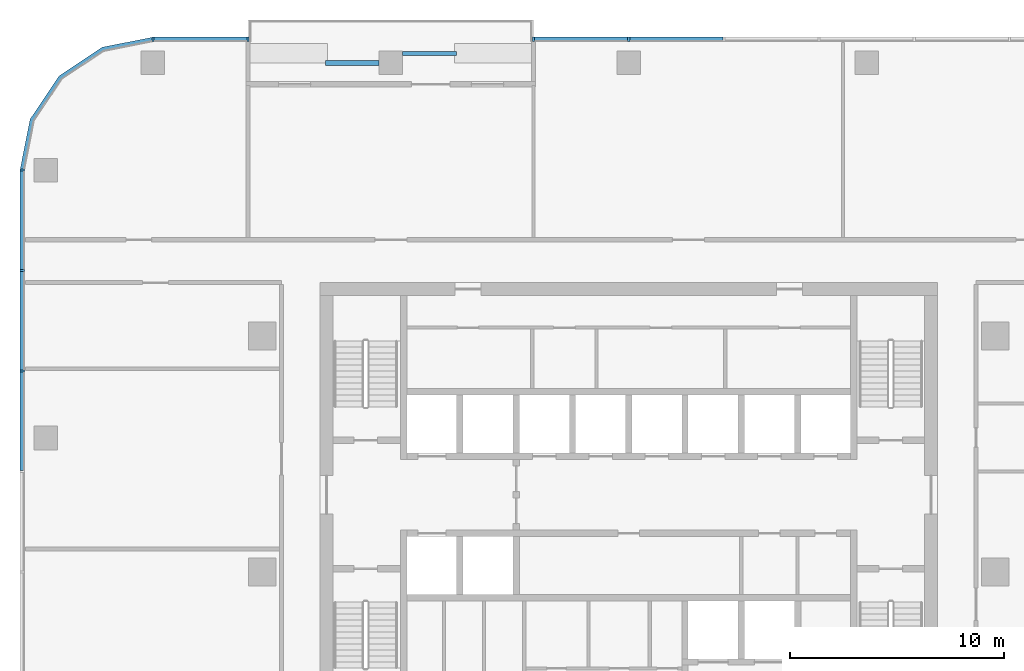
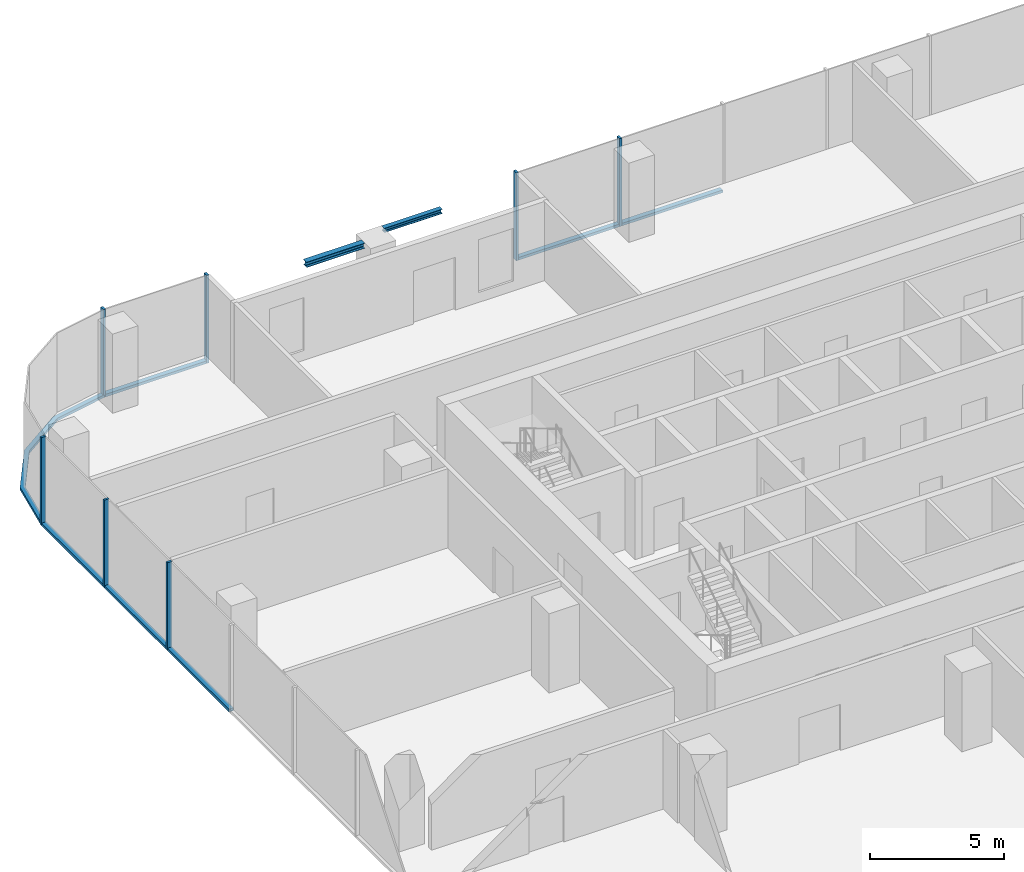
# One storey, part 4 of 14: 14 members, 2 beams, 4 elements without a shape of their own.
"""IFC4 building model written with IfcOpenShell, lengths in metres."""

from ifc_helpers import new_model, si_unit, direction, frame, origin, origin_2d, place, context, subcontext, project, spatial, polyline, rectangle, i_section, outline, extrude, material, material_profile, profile_set, type_object, element, aggregate, save


model = new_model("IFC4")

# Units and contexts
model_context = context("Model", 3, precision=1e-05, world=origin(), true_north=direction((0.0, 1.0)))
body_context = subcontext(model_context, "Body", "Model", "MODEL_VIEW")
ifc_project = project(units=[si_unit("LENGTHUNIT", "METRE"), si_unit("AREAUNIT", "SQUARE_METRE"), si_unit("VOLUMEUNIT", "CUBIC_METRE"), si_unit("PLANEANGLEUNIT", "RADIAN"), si_unit("MASSUNIT", "GRAM", prefix="KILO")], contexts=[model_context])

# Site, building, storey
site_placement = place(None, origin())
site = spatial("IfcSite", under=ifc_project, at=site_placement, CompositionType="ELEMENT")
building_placement = place(site_placement, origin())
building = spatial("IfcBuilding", under=site, at=building_placement, Name="Mopane Tessera Tower", CompositionType="ELEMENT")
storey_placement = place(building_placement, frame((0.0, 0.0, 227.0)))
storey = spatial("IfcBuildingStorey", under=building, at=storey_placement, Name="L48", CompositionType="ELEMENT", Elevation=227.0)

# Curtain wall, members
ifc_material_1 = material(Name="Aluminium frame", Category="aluminium")
curtain_wall_type = type_object("IfcCurtainWallType", Name="Unitised curtain wall", PredefinedType="NOTDEFINED", material=ifc_material_1)
curtain_wall_1_placement = place(storey_placement, origin())
curtain_wall_1 = element("IfcCurtainWall", 1, at=curtain_wall_1_placement, inside=storey, type_object=curtain_wall_type, Name="e:cw:L48:N:0", PredefinedType="NOTDEFINED")
ifc_material_2 = material(Name="Aluminium frame", Category="aluminium")
ifc_material_profile_1 = material_profile(ifc_material_2, rectangle(XDim=0.10009765625, YDim=0.199951171875, at=origin_2d()))
ifc_profile_set_1 = profile_set([ifc_material_profile_1], Name="Aluminium frame")
member_type_1 = type_object("IfcMemberType", Name="Aluminium mullion 100 x 200", PredefinedType="MULLION", material=ifc_profile_set_1)
member_1_placement = place(storey_placement, frame((0.0, 24.85009765625, -0.39990234375), z_axis=(0.0, 0.0, 1.0), x_axis=(-1.0, 0.0, 0.0)))
member_1 = element("IfcMember", 2, at=member_1_placement, type_object=member_type_1, Name="e:cw:L48:N:0:mu5", PredefinedType="MULLION", context=body_context, shape_type="SweptSolid", body=[
    extrude(rectangle(XDim=0.10009765625, YDim=0.199951171875, at=origin_2d()), origin(), (0.0, 0.0, 1.0), 4.0),
])
member_2_placement = place(storey_placement, frame((-4.43994140625, 24.85009765625, -0.39990234375), z_axis=(0.0, 0.0, 1.0), x_axis=(-1.0, 0.0, 0.0)))
member_2 = element("IfcMember", 3, at=member_2_placement, type_object=member_type_1, Name="e:cw:L48:N:0:mu6", PredefinedType="MULLION", context=body_context, shape_type="SweptSolid", body=[
    extrude(rectangle(XDim=0.10009765625, YDim=0.199951171875, at=origin_2d()), origin(), (0.0, 0.0, 1.0), 4.0),
])

curtain_wall_2_placement = place(storey_placement, origin())
curtain_wall_2 = element("IfcCurtainWall", 4, at=curtain_wall_2_placement, inside=storey, type_object=curtain_wall_type, Name="e:cw:L48:N:9", PredefinedType="NOTDEFINED")
member_3_placement = place(storey_placement, frame((-17.760009765625, 24.85009765625, -0.39990234375), z_axis=(0.0, 0.0, 1.0), x_axis=(-1.0, 0.0, 0.0)))
member_3 = element("IfcMember", 5, at=member_3_placement, type_object=member_type_1, Name="e:cw:L48:N:9:mu9", PredefinedType="MULLION", context=body_context, shape_type="SweptSolid", body=[
    extrude(rectangle(XDim=0.10009765625, YDim=0.199951171875, at=origin_2d()), origin(), (0.0, 0.0, 1.0), 4.0),
])
member_4_placement = place(storey_placement, frame((-22.199951171875, 24.85009765625, -0.39990234375), z_axis=(0.0, 0.0, 1.0), x_axis=(-1.0, 0.0, 0.0)))
member_4 = element("IfcMember", 6, at=member_4_placement, type_object=member_type_1, Name="e:cw:L48:N:9:mu10", PredefinedType="MULLION", context=body_context, shape_type="SweptSolid", body=[
    extrude(rectangle(XDim=0.10009765625, YDim=0.199951171875, at=origin_2d()), origin(), (0.0, 0.0, 1.0), 4.0),
])

curtain_wall_3_placement = place(storey_placement, origin())
curtain_wall_3 = element("IfcCurtainWall", 7, at=curtain_wall_3_placement, inside=storey, type_object=curtain_wall_type, Name="e:cw:L48:W:0", PredefinedType="NOTDEFINED")
member_5_placement = place(storey_placement, frame((-28.300048828125, 18.75, -0.39990234375), z_axis=(0.0, 0.0, 1.0), x_axis=(0.0, -1.0, 0.0)))
member_5 = element("IfcMember", 8, at=member_5_placement, type_object=member_type_1, Name="e:cw:L48:W:0:mu0", PredefinedType="MULLION", context=body_context, shape_type="SweptSolid", body=[
    extrude(rectangle(XDim=0.10009765625, YDim=0.199951171875, at=origin_2d()), origin(), (0.0, 0.0, 1.0), 4.0),
])
member_6_placement = place(storey_placement, frame((-28.300048828125, 14.0625, -0.39990234375), z_axis=(0.0, 0.0, 1.0), x_axis=(0.0, -1.0, 0.0)))
member_6 = element("IfcMember", 9, at=member_6_placement, type_object=member_type_1, Name="e:cw:L48:W:0:mu1", PredefinedType="MULLION", context=body_context, shape_type="SweptSolid", body=[
    extrude(rectangle(XDim=0.10009765625, YDim=0.199951171875, at=origin_2d()), origin(), (0.0, 0.0, 1.0), 4.0),
])
member_7_placement = place(storey_placement, frame((-28.300048828125, 9.375, -0.39990234375), z_axis=(0.0, 0.0, 1.0), x_axis=(0.0, -1.0, 0.0)))
member_7 = element("IfcMember", 10, at=member_7_placement, type_object=member_type_1, Name="e:cw:L48:W:0:mu2", PredefinedType="MULLION", context=body_context, shape_type="SweptSolid", body=[
    extrude(rectangle(XDim=0.10009765625, YDim=0.199951171875, at=origin_2d()), origin(), (0.0, 0.0, 1.0), 4.0),
])

# Member
ifc_material_3 = material(Name="Aluminium frame", Category="aluminium")
ifc_material_profile_2 = material_profile(ifc_material_3, rectangle(XDim=0.199951171875, YDim=0.1201171875, at=origin_2d()))
ifc_profile_set_2 = profile_set([ifc_material_profile_2], Name="Aluminium frame")
member_type_2 = type_object("IfcMemberType", Name="Aluminium transom 200 x 120", PredefinedType="USERDEFINED", material=ifc_profile_set_2)
member_8_placement = place(storey_placement, frame((4.389892578125, 24.85009765625, -0.340087890625), z_axis=(-1.0, 0.0, 0.0), x_axis=(0.0, -1.0, 0.0)))
member_8 = element("IfcMember", 11, at=member_8_placement, type_object=member_type_2, Name="e:cw:L48:N:0:tr4", ObjectType="TRANSOM", PredefinedType="USERDEFINED", context=body_context, shape_type="SweptSolid", body=[
    extrude(rectangle(XDim=0.199951171875, YDim=0.1201171875, at=origin_2d()), origin(), (0.0, 0.0, 1.0), 4.33984375),
])

member_9_placement = place(storey_placement, frame((-0.050048828125, 24.85009765625, -0.340087890625), z_axis=(-1.0, 0.0, 0.0), x_axis=(0.0, -1.0, 0.0)))
member_9 = element("IfcMember", 12, at=member_9_placement, type_object=member_type_2, Name="e:cw:L48:N:0:tr5", ObjectType="TRANSOM", PredefinedType="USERDEFINED", context=body_context, shape_type="SweptSolid", body=[
    extrude(rectangle(XDim=0.199951171875, YDim=0.1201171875, at=origin_2d()), origin(), (0.0, 0.0, 1.0), 4.33984375),
])

aggregate(curtain_wall_1, [member_1, member_2, member_8, member_9])

member_10_placement = place(storey_placement, frame((-17.81005859375, 24.85009765625, -0.340087890625), z_axis=(-1.0, 0.0, 0.0), x_axis=(0.0, -1.0, 0.0)))
member_10 = element("IfcMember", 13, at=member_10_placement, type_object=member_type_2, Name="e:cw:L48:N:9:tr9", ObjectType="TRANSOM", PredefinedType="USERDEFINED", context=body_context, shape_type="SweptSolid", body=[
    extrude(rectangle(XDim=0.199951171875, YDim=0.1201171875, at=origin_2d()), origin(), (0.0, 0.0, 1.0), 4.33984375),
])

aggregate(curtain_wall_2, [member_3, member_4, member_10])

# Curtain wall, member
curtain_wall_4_placement = place(storey_placement, origin())
curtain_wall_4 = element("IfcCurtainWall", 14, at=curtain_wall_4_placement, inside=storey, type_object=curtain_wall_type, Name="e:cw:L48:CN", PredefinedType="NOTDEFINED")
member_11_placement = place(storey_placement, frame((0.0, 0.0, -0.39990234375)))
member_11 = element("IfcMember", 15, at=member_11_placement, type_object=member_type_2, Name="e:cw:L48:CN:tr", ObjectType="TRANSOM", PredefinedType="USERDEFINED", context=body_context, shape_type="SweptSolid", body=[
    extrude(outline(polyline([(-22.199951171875, 24.75), (-24.49609375, 24.293212890625), (-26.442626953125, 22.99267578125), (-27.7431640625, 21.046142578125), (-28.199951171875, 18.75), (-28.39990234375, 18.75), (-27.927978515625, 21.12255859375), (-26.583984375, 23.134033203125), (-24.57275390625, 24.47802734375), (-22.199951171875, 24.949951171875), (-22.199951171875, 24.75)])), origin(), (0.0, 0.0, 1.0), 0.119873046875),
])
aggregate(curtain_wall_4, [member_11])

# Member
member_12_placement = place(storey_placement, frame((-28.300048828125, 18.699951171875, -0.340087890625), z_axis=(0.0, -1.0, 0.0), x_axis=(1.0, 0.0, 0.0)))
member_12 = element("IfcMember", 16, at=member_12_placement, type_object=member_type_2, Name="e:cw:L48:W:0:tr0", ObjectType="TRANSOM", PredefinedType="USERDEFINED", context=body_context, shape_type="SweptSolid", body=[
    extrude(rectangle(XDim=0.199951171875, YDim=0.1201171875, at=origin_2d()), origin(), (0.0, 0.0, 1.0), 4.58740234375),
])

member_13_placement = place(storey_placement, frame((-28.300048828125, 14.012451171875, -0.340087890625), z_axis=(0.0, -1.0, 0.0), x_axis=(1.0, 0.0, 0.0)))
member_13 = element("IfcMember", 17, at=member_13_placement, type_object=member_type_2, Name="e:cw:L48:W:0:tr1", ObjectType="TRANSOM", PredefinedType="USERDEFINED", context=body_context, shape_type="SweptSolid", body=[
    extrude(rectangle(XDim=0.199951171875, YDim=0.1201171875, at=origin_2d()), origin(), (0.0, 0.0, 1.0), 4.58740234375),
])

member_14_placement = place(storey_placement, frame((-28.300048828125, 9.324951171875, -0.340087890625), z_axis=(0.0, -1.0, 0.0), x_axis=(1.0, 0.0, 0.0)))
member_14 = element("IfcMember", 18, at=member_14_placement, type_object=member_type_2, Name="e:cw:L48:W:0:tr2", ObjectType="TRANSOM", PredefinedType="USERDEFINED", context=body_context, shape_type="SweptSolid", body=[
    extrude(rectangle(XDim=0.199951171875, YDim=0.1201171875, at=origin_2d()), origin(), (0.0, 0.0, 1.0), 4.58740234375),
])

aggregate(curtain_wall_3, [member_5, member_6, member_7, member_12, member_13, member_14])

# Beams
ifc_material_4 = material(Name="Structural steel S460", Category="steel")
ifc_material_profile_3 = material_profile(ifc_material_4, i_section(OverallWidth=0.239990234375, OverallDepth=0.239990234375, WebThickness=0.010009765625, FlangeThickness=0.01708984375, FilletRadius=0.02099609375, at=origin_2d()))
ifc_profile_set_3 = profile_set([ifc_material_profile_3], Name="Structural steel S460")
beam_type_1 = type_object("IfcBeamType", Name="Terrace spandrel beam HE 240 B", PredefinedType="SPANDREL", material=ifc_profile_set_3)
beam_1_placement = place(storey_placement, frame((-11.653076171875, 23.75, 3.47998046875), z_axis=(-1.0, 0.0, 0.0), x_axis=(0.0, -1.0, 0.0)))
element("IfcBeam", 19, at=beam_1_placement, inside=storey, type_object=beam_type_1, Name="Terrace spandrel beam N3 L49", PredefinedType="SPANDREL", context=body_context, shape_type="SweptSolid", body=[
    extrude(i_section(OverallWidth=0.239990234375, OverallDepth=0.239990234375, WebThickness=0.010009765625, FlangeThickness=0.01708984375, FilletRadius=0.02099609375, at=origin_2d()), origin(), (0.0, 0.0, 1.0), 2.5),
])
ifc_material_5 = material(Name="Structural steel S460", Category="steel")
ifc_material_profile_4 = material_profile(ifc_material_5, i_section(OverallWidth=0.199951171875, OverallDepth=0.199951171875, WebThickness=0.009033203125, FlangeThickness=0.014892578125, FilletRadius=0.01806640625, at=origin_2d()))
ifc_profile_set_4 = profile_set([ifc_material_profile_4], Name="Structural steel S460")
beam_type_2 = type_object("IfcBeamType", Name="Terrace trimmer beam HE 200 B", PredefinedType="BEAM", material=ifc_profile_set_4)
beam_2_placement = place(storey_placement, frame((-10.547119140625, 24.18994140625, 3.5), z_axis=(1.0, 0.0, 0.0), x_axis=(0.0, 1.0, 0.0)))
element("IfcBeam", 20, at=beam_2_placement, inside=storey, type_object=beam_type_2, Name="Terrace trimmer beam N3 L49", PredefinedType="BEAM", context=body_context, shape_type="SweptSolid", body=[
    extrude(i_section(OverallWidth=0.199951171875, OverallDepth=0.199951171875, WebThickness=0.009033203125, FlangeThickness=0.014892578125, FilletRadius=0.01806640625, at=origin_2d()), origin(), (0.0, 0.0, 1.0), 2.5),
])

save(model, "model.ifc")
